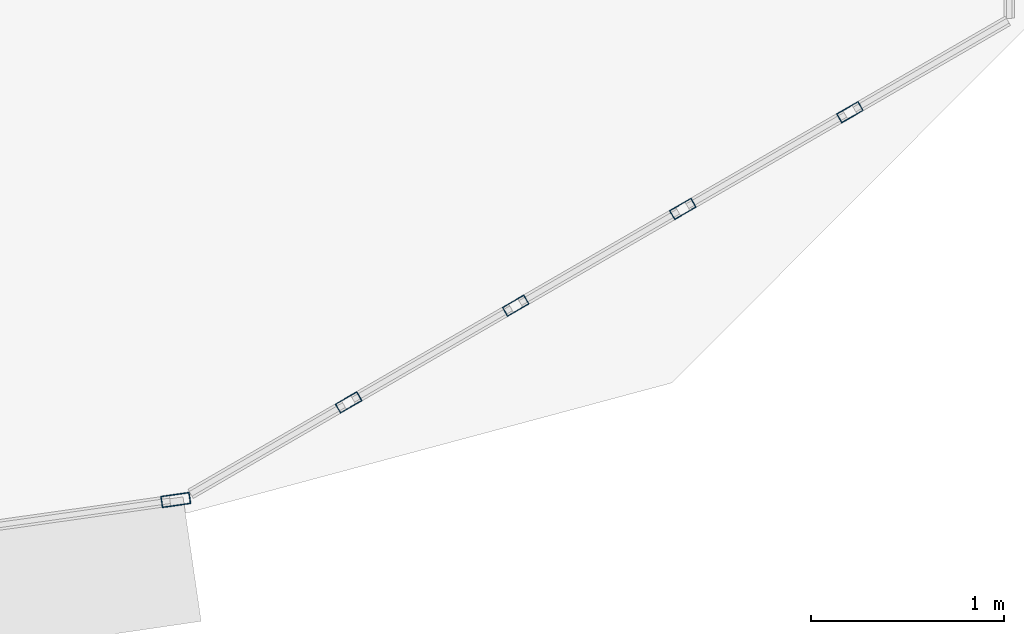
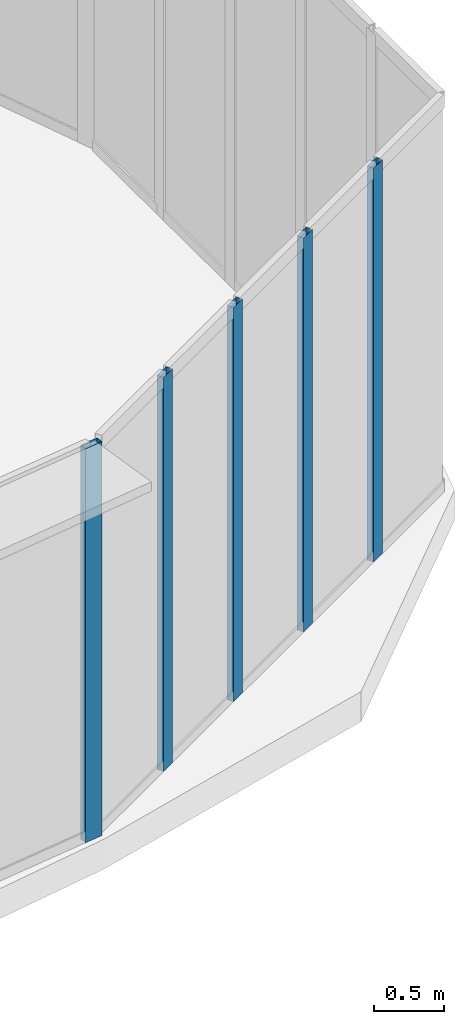
# One storey, part 22 of 42: 5 members, 2 elements without a shape of their own.
"""IFC4 building model written with IfcOpenShell, lengths in metres."""

from ifc_helpers import new_model, si_unit, direction, frame, origin, origin_2d, place, context, subcontext, project, spatial, hollow_rectangle, extrude, source, transform, mapped, material, layer, layer_set, material_profile, profile_set, type_object, element, aggregate, save


model = new_model("IFC4")

# Units and contexts
model_context = context("Model", 3, precision=1e-05, world=origin(), true_north=direction((0.0, 1.0)))
body_context = subcontext(model_context, "Body", "Model", "MODEL_VIEW")
ifc_project = project(units=[si_unit("LENGTHUNIT", "METRE"), si_unit("AREAUNIT", "SQUARE_METRE"), si_unit("VOLUMEUNIT", "CUBIC_METRE"), si_unit("PLANEANGLEUNIT", "RADIAN"), si_unit("MASSUNIT", "GRAM", prefix="KILO"), si_unit("THERMODYNAMICTEMPERATUREUNIT", "KELVIN"), si_unit("POWERUNIT", "WATT")], contexts=[model_context])

# Site, building, storey
site_placement = place(None, origin())
site = spatial("IfcSite", under=ifc_project, at=site_placement, CompositionType="ELEMENT")
building_placement = place(site_placement, origin())
building = spatial("IfcBuilding", under=site, at=building_placement, Name="Yunzhuo Pagoda Commons", CompositionType="ELEMENT")
storey_placement = place(building_placement, frame((0.0, 0.0, 133.510009765625)))
storey = spatial("IfcBuildingStorey", under=building, at=storey_placement, Name="L33", CompositionType="ELEMENT", Elevation=133.510009765625)

# Curtain wall, member
ifc_material = material(Name="Anodized aluminium 6063-T6", Category="aluminium")
ifc_layer_1 = layer(ifc_material, 0.14990234375)
ifc_layer_set_1 = layer_set([ifc_layer_1], Name="Anodized aluminium 6063-T6")
curtain_wall_type_1 = type_object("IfcCurtainWallType", Name="CW-MID Mid-Zone Ribbon Curtain Wall", PredefinedType="NOTDEFINED", material=ifc_layer_set_1)
curtain_wall_1_placement = place(storey_placement, origin())
curtain_wall_1 = element("IfcCurtainWall", 1, at=curtain_wall_1_placement, inside=storey, type_object=curtain_wall_type_1, Name="L33 curtain wall CW-L33-F1B5", PredefinedType="NOTDEFINED")
ifc_material_profile_1 = material_profile(ifc_material, hollow_rectangle(XDim=0.06005859375, YDim=0.14990234375, WallThickness=0.00390625, at=origin_2d()), Name="Anodized aluminium 6063-T6")
ifc_profile_set_1 = profile_set([ifc_material_profile_1], Name="Anodized aluminium 6063-T6")
member_type_1 = type_object("IfcMemberType", Name="CW-MID-M Mullion RHS 150x60x4", PredefinedType="MULLION", material=ifc_profile_set_1)
shared_shape_1 = source(origin(), body_context, "Body", "SweptSolid", [
    extrude(hollow_rectangle(XDim=0.06005859375, YDim=0.14990234375, WallThickness=0.00390625, at=origin_2d()), origin(), (0.0, 0.0, 1.0), 3.419921875),
])
member_1_placement = place(storey_placement, frame((83.9423828125, 16.254638671875, 0.0), z_axis=(0.0, 0.0, 1.0), x_axis=(-0.140026939768, 0.990147694104, 0.0)))
member_1 = element("IfcMember", 2, at=member_1_placement, type_object=member_type_1, Name="CW mullion 2", PredefinedType="MULLION", context=body_context, shape_type="MappedRepresentation", body=[
    mapped(shared_shape_1, transform((0.0, 0.0, 0.0), scale=1.0)),
])
aggregate(curtain_wall_1, [member_1])

# Curtain wall, members
ifc_layer_2 = layer(ifc_material, 0.1298828125)
ifc_layer_set_2 = layer_set([ifc_layer_2], Name="Anodized aluminium 6063-T6")
curtain_wall_type_2 = type_object("IfcCurtainWallType", Name="CW-VTX Rounded Corner Curtain Wall", PredefinedType="NOTDEFINED", material=ifc_layer_set_2)
curtain_wall_2_placement = place(storey_placement, origin())
curtain_wall_2 = element("IfcCurtainWall", 3, at=curtain_wall_2_placement, inside=storey, type_object=curtain_wall_type_2, Name="L33 curtain wall CW-L33-VTX2S1", PredefinedType="NOTDEFINED")
ifc_material_profile_2 = material_profile(ifc_material, hollow_rectangle(XDim=0.054931640625, YDim=0.1298828125, WallThickness=0.00341796875, at=origin_2d()), Name="Anodized aluminium 6063-T6")
ifc_profile_set_2 = profile_set([ifc_material_profile_2], Name="Anodized aluminium 6063-T6")
member_type_2 = type_object("IfcMemberType", Name="CW-VTX-M Mullion RHS 130x55x3.5", PredefinedType="MULLION", material=ifc_profile_set_2)
shared_shape_2 = source(origin(), body_context, "Body", "SweptSolid", [
    extrude(hollow_rectangle(XDim=0.054931640625, YDim=0.1298828125, WallThickness=0.00341796875, at=origin_2d()), origin(), (0.0, 0.0, 1.0), 3.419921875),
])
member_2_placement = place(storey_placement, frame((84.836181640625, 16.759033203125, 0.0), z_axis=(0.0, 0.0, 1.0), x_axis=(-0.501037850191, 0.865425370946, 0.0)))
member_2 = element("IfcMember", 4, at=member_2_placement, type_object=member_type_2, Name="CW mullion 2", PredefinedType="MULLION", context=body_context, shape_type="MappedRepresentation", body=[
    mapped(shared_shape_2, transform((0.0, 0.0, 0.0), scale=1.0)),
])
member_3_placement = place(storey_placement, frame((85.69970703125, 17.259033203125, 0.0), z_axis=(0.0, 0.0, 1.0), x_axis=(-0.501037850191, 0.865425370946, 0.0)))
member_3 = element("IfcMember", 5, at=member_3_placement, type_object=member_type_2, Name="CW mullion 3", PredefinedType="MULLION", context=body_context, shape_type="MappedRepresentation", body=[
    mapped(shared_shape_2, transform((0.0, 0.0, 0.0), scale=1.0)),
])
member_4_placement = place(storey_placement, frame((86.5634765625, 17.75927734375, 0.0), z_axis=(0.0, 0.0, 1.0), x_axis=(-0.501037850191, 0.865425370946, 0.0)))
member_4 = element("IfcMember", 6, at=member_4_placement, type_object=member_type_2, Name="CW mullion 4", PredefinedType="MULLION", context=body_context, shape_type="MappedRepresentation", body=[
    mapped(shared_shape_2, transform((0.0, 0.0, 0.0), scale=1.0)),
])
member_5_placement = place(storey_placement, frame((87.42724609375, 18.25927734375, 0.0), z_axis=(0.0, 0.0, 1.0), x_axis=(-0.501037850191, 0.865425370946, 0.0)))
member_5 = element("IfcMember", 7, at=member_5_placement, type_object=member_type_2, Name="CW mullion 5", PredefinedType="MULLION", context=body_context, shape_type="MappedRepresentation", body=[
    mapped(shared_shape_2, transform((0.0, 0.0, 0.0), scale=1.0)),
])
aggregate(curtain_wall_2, [member_2, member_3, member_4, member_5])

save(model, "model.ifc")
